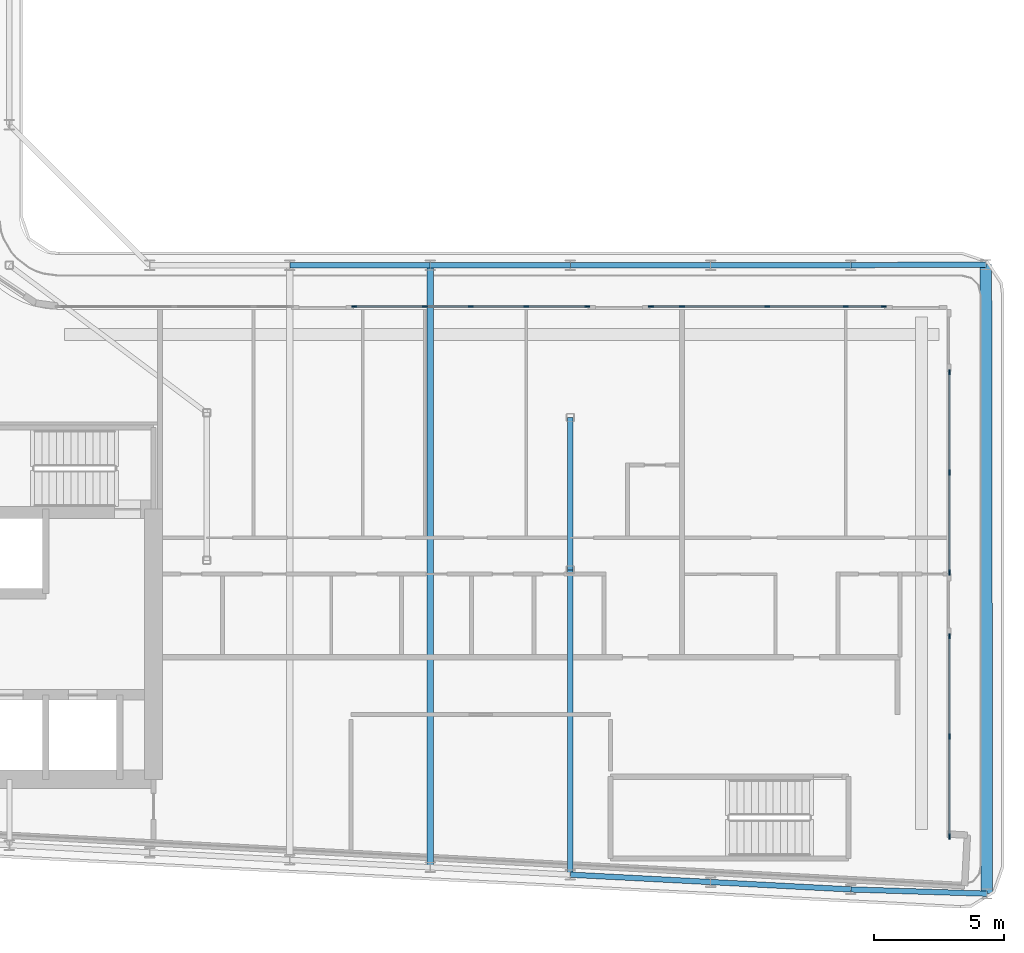
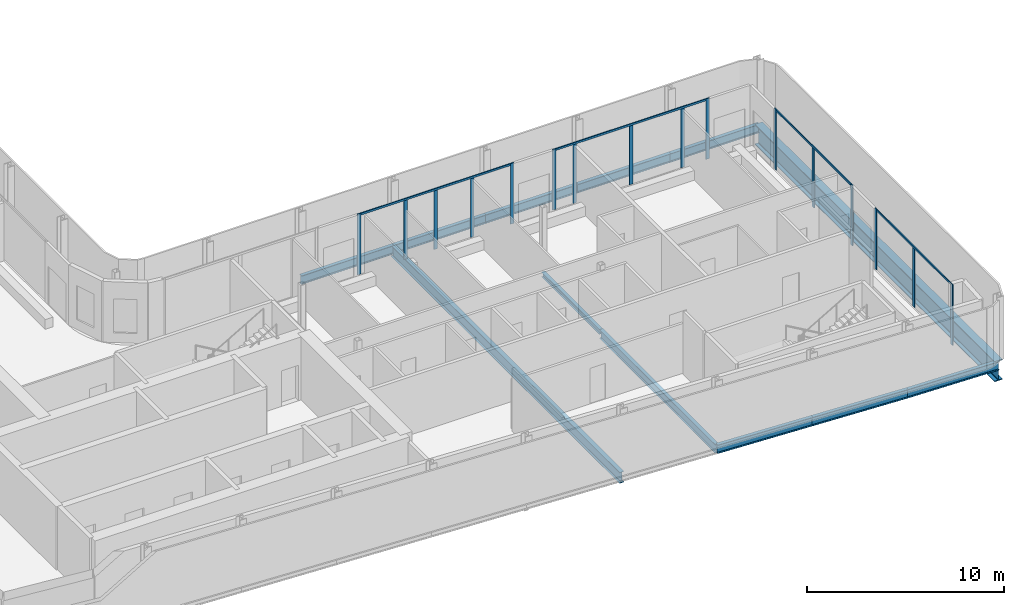
# One storey, part 5 of 21: 20 members, 12 beams, 4 elements without a shape of their own.
"""IFC4 building model written with IfcOpenShell, lengths in metres."""

from ifc_helpers import new_model, si_unit, direction, frame, origin, origin_2d, place, context, subcontext, project, spatial, rectangle, i_section, extrude, material, layer, layer_set, material_profile, profile_set, type_object, element, aggregate, save


model = new_model("IFC4")

# Units and contexts
model_context = context("Model", 3, precision=1e-05, world=origin(), true_north=direction((0.0, 1.0)))
body_context = subcontext(model_context, "Body", "Model", "MODEL_VIEW")
ifc_project = project(units=[si_unit("LENGTHUNIT", "METRE"), si_unit("AREAUNIT", "SQUARE_METRE"), si_unit("VOLUMEUNIT", "CUBIC_METRE"), si_unit("PLANEANGLEUNIT", "RADIAN"), si_unit("MASSUNIT", "GRAM", prefix="KILO")], contexts=[model_context])

# Site, building, storey
site_placement = place(None, origin())
site = spatial("IfcSite", under=ifc_project, at=site_placement, CompositionType="ELEMENT")
building_placement = place(site_placement, origin())
building = spatial("IfcBuilding", under=site, at=building_placement, Name="Kheshtan School and Residences Tower", CompositionType="ELEMENT")
storey_placement = place(building_placement, frame((0.0, 0.0, 227.89990234375)))
storey = spatial("IfcBuildingStorey", under=building, at=storey_placement, Name="L53", CompositionType="ELEMENT", Elevation=227.89990234375)

# Beams
ifc_material_1 = material(Name="Steel ASTM A992 Grade 50", Category="steel")
ifc_material_profile_1 = material_profile(ifc_material_1, i_section(OverallWidth=0.202880859375, OverallDepth=0.302978515625, WebThickness=0.007568359375, FlangeThickness=0.01318359375, FilletRadius=0.009033203125, at=origin_2d()), Name="W310x60")
ifc_profile_set_1 = profile_set([ifc_material_profile_1], Name="Steel ASTM A992 Grade 50")
beam_type_1 = type_object("IfcBeamType", Name="Beam FB1 W310x60 ASTM A992 Grade 50", PredefinedType="BEAM", material=ifc_profile_set_1)
beam_1_placement = place(storey_placement, frame((69.199951171875, 33.863037109375, -0.301513671875), z_axis=(0.0, 1.0, 0.0), x_axis=(-1.0, 0.0, 0.0)))
element("IfcBeam", 1, at=beam_1_placement, inside=storey, type_object=beam_type_1, Name="Floor beam IC", PredefinedType="BEAM", context=body_context, shape_type="SweptSolid", body=[
    extrude(i_section(OverallWidth=0.202880859375, OverallDepth=0.302978515625, WebThickness=0.007568359375, FlangeThickness=0.01318359375, FilletRadius=0.009033203125, at=origin_2d()), origin(), (0.0, 0.0, 1.0), 5.868896484375),
])
ifc_material_profile_2 = material_profile(ifc_material_1, i_section(OverallWidth=0.208984375, OverallDepth=0.532958984375, WebThickness=0.01025390625, FlangeThickness=0.015625, FilletRadius=0.013916015625, at=origin_2d()), Name="W530x92")
ifc_profile_set_2 = profile_set([ifc_material_profile_2], Name="Steel ASTM A992 Grade 50")
beam_type_2 = type_object("IfcBeamType", Name="Beam FB4 W530x92 ASTM A992 Grade 50", PredefinedType="BEAM", material=ifc_profile_set_2)
beam_2_placement = place(storey_placement, frame((69.199951171875, 22.126953125, -0.41650390625), z_axis=(0.0, 1.0, 0.0), x_axis=(-1.0, 0.0, 0.0)))
element("IfcBeam", 2, at=beam_2_placement, inside=storey, type_object=beam_type_2, Name="Floor beam C014", PredefinedType="BEAM", context=body_context, shape_type="SweptSolid", body=[
    extrude(i_section(OverallWidth=0.208984375, OverallDepth=0.532958984375, WebThickness=0.01025390625, FlangeThickness=0.015625, FilletRadius=0.013916015625, at=origin_2d()), origin(), (0.0, 0.0, 1.0), 11.736083984375),
])
ifc_material_profile_3 = material_profile(ifc_material_1, i_section(OverallWidth=0.2529296875, OverallDepth=0.677978515625, WebThickness=0.01171875, FlangeThickness=0.016357421875, FilletRadius=0.0146484375, at=origin_2d()), Name="W690x125")
ifc_profile_set_3 = profile_set([ifc_material_profile_3], Name="Steel ASTM A992 Grade 50")
beam_type_3 = type_object("IfcBeamType", Name="Beam FB6 W690x125 ASTM A992 Grade 50", PredefinedType="BEAM", material=ifc_profile_set_3)
beam_3_placement = place(storey_placement, frame((63.800048828125, 45.60009765625, -0.489013671875), z_axis=(0.0, -1.0, 0.0), x_axis=(1.0, 0.0, 0.0)))
element("IfcBeam", 3, at=beam_3_placement, inside=storey, type_object=beam_type_3, Name="Floor beam C063", PredefinedType="BEAM", context=body_context, shape_type="SweptSolid", body=[
    extrude(i_section(OverallWidth=0.2529296875, OverallDepth=0.677978515625, WebThickness=0.01171875, FlangeThickness=0.016357421875, FilletRadius=0.0146484375, at=origin_2d()), origin(), (0.0, 0.0, 1.0), 23.189208984375),
])
ifc_material_profile_4 = material_profile(ifc_material_1, i_section(OverallWidth=0.208984375, OverallDepth=0.532958984375, WebThickness=0.01025390625, FlangeThickness=0.015625, FilletRadius=0.013916015625, at=origin_2d()), Name="W530x92")
ifc_profile_set_4 = profile_set([ifc_material_profile_4], Name="Steel ASTM A992 Grade 50")
beam_type_4 = type_object("IfcBeamType", Name="Beam SP3 W530x92 ASTM A992 Grade 50", PredefinedType="BEAM", material=ifc_profile_set_4)
beam_4_placement = place(storey_placement, frame((58.39990234375, 45.60009765625, -0.41650390625), z_axis=(1.0, 0.0, 0.0), x_axis=(0.0, 1.0, 0.0)))
element("IfcBeam", 4, at=beam_4_placement, inside=storey, type_object=beam_type_4, Name="Spandrel beam C062-C063", PredefinedType="BEAM", context=body_context, shape_type="SweptSolid", body=[
    extrude(i_section(OverallWidth=0.208984375, OverallDepth=0.532958984375, WebThickness=0.01025390625, FlangeThickness=0.015625, FilletRadius=0.013916015625, at=origin_2d()), origin(), (0.0, 0.0, 1.0), 5.400146484375),
])
beam_5_placement = place(storey_placement, frame((63.800048828125, 45.60009765625, -0.41650390625), z_axis=(1.0, 0.0, 0.0), x_axis=(0.0, 1.0, 0.0)))
element("IfcBeam", 5, at=beam_5_placement, inside=storey, type_object=beam_type_4, Name="Spandrel beam C063-C064", PredefinedType="BEAM", context=body_context, shape_type="SweptSolid", body=[
    extrude(i_section(OverallWidth=0.208984375, OverallDepth=0.532958984375, WebThickness=0.01025390625, FlangeThickness=0.015625, FilletRadius=0.013916015625, at=origin_2d()), origin(), (0.0, 0.0, 1.0), 5.39990234375),
])
beam_6_placement = place(storey_placement, frame((69.199951171875, 45.60009765625, -0.41650390625), z_axis=(1.0, 0.0, 0.0), x_axis=(0.0, 1.0, 0.0)))
element("IfcBeam", 6, at=beam_6_placement, inside=storey, type_object=beam_type_4, Name="Spandrel beam C064-C065", PredefinedType="BEAM", context=body_context, shape_type="SweptSolid", body=[
    extrude(i_section(OverallWidth=0.208984375, OverallDepth=0.532958984375, WebThickness=0.01025390625, FlangeThickness=0.015625, FilletRadius=0.013916015625, at=origin_2d()), origin(), (0.0, 0.0, 1.0), 5.400146484375),
])
beam_7_placement = place(storey_placement, frame((74.60009765625, 45.60009765625, -0.41650390625), z_axis=(1.0, 0.0, 0.0), x_axis=(0.0, 1.0, 0.0)))
element("IfcBeam", 7, at=beam_7_placement, inside=storey, type_object=beam_type_4, Name="Spandrel beam C065-C066", PredefinedType="BEAM", context=body_context, shape_type="SweptSolid", body=[
    extrude(i_section(OverallWidth=0.208984375, OverallDepth=0.532958984375, WebThickness=0.01025390625, FlangeThickness=0.015625, FilletRadius=0.013916015625, at=origin_2d()), origin(), (0.0, 0.0, 1.0), 5.39990234375),
])
beam_8_placement = place(storey_placement, frame((80.0, 45.60009765625, -0.41650390625), z_axis=(0.999994754544, 0.003238963435, 0.0), x_axis=(-0.003238963435, 0.999994754544, 0.0)))
element("IfcBeam", 8, at=beam_8_placement, inside=storey, type_object=beam_type_4, Name="Spandrel beam C066-C074", PredefinedType="BEAM", context=body_context, shape_type="SweptSolid", body=[
    extrude(i_section(OverallWidth=0.208984375, OverallDepth=0.532958984375, WebThickness=0.01025390625, FlangeThickness=0.015625, FilletRadius=0.013916015625, at=origin_2d()), origin(), (0.0, 0.0, 1.0), 5.200927734375),
])
beam_9_placement = place(storey_placement, frame((85.240966796875, 21.39501953125, -0.41650390625), z_axis=(-0.999516201006, 0.031102474602, 0.0), x_axis=(-0.031102474602, -0.999516201006, 0.0)))
element("IfcBeam", 9, at=beam_9_placement, inside=storey, type_object=beam_type_4, Name="Spandrel beam C010-C012", PredefinedType="BEAM", context=body_context, shape_type="SweptSolid", body=[
    extrude(i_section(OverallWidth=0.208984375, OverallDepth=0.532958984375, WebThickness=0.01025390625, FlangeThickness=0.015625, FilletRadius=0.013916015625, at=origin_2d()), origin(), (0.0, 0.0, 1.0), 5.243408203125),
])
beam_10_placement = place(storey_placement, frame((80.0, 21.55810546875, -0.41650390625), z_axis=(-0.998610961136, 0.052689166816, 0.0), x_axis=(-0.052689166816, -0.998610961136, 0.0)))
element("IfcBeam", 10, at=beam_10_placement, inside=storey, type_object=beam_type_4, Name="Spandrel beam C012-C013", PredefinedType="BEAM", context=body_context, shape_type="SweptSolid", body=[
    extrude(i_section(OverallWidth=0.208984375, OverallDepth=0.532958984375, WebThickness=0.01025390625, FlangeThickness=0.015625, FilletRadius=0.013916015625, at=origin_2d()), origin(), (0.0, 0.0, 1.0), 5.407470703125),
])
beam_11_placement = place(storey_placement, frame((74.60009765625, 21.843017578125, -0.41650390625), z_axis=(-0.998620571751, 0.05250670125, 0.0), x_axis=(-0.05250670125, -0.998620571751, 0.0)))
element("IfcBeam", 11, at=beam_11_placement, inside=storey, type_object=beam_type_4, Name="Spandrel beam C013-C014", PredefinedType="BEAM", context=body_context, shape_type="SweptSolid", body=[
    extrude(i_section(OverallWidth=0.208984375, OverallDepth=0.532958984375, WebThickness=0.01025390625, FlangeThickness=0.015625, FilletRadius=0.013916015625, at=origin_2d()), origin(), (0.0, 0.0, 1.0), 5.40771484375),
])

# Curtain wall, members
ifc_material_2 = material(Name="Clear low-e glass in thermally broken aluminium frame", Category="aluminium")
ifc_layer = layer(ifc_material_2, 0.199951171875)
ifc_layer_set = layer_set([ifc_layer], Name="Curtain wall CW-L")
curtain_wall_type = type_object("IfcCurtainWallType", Name="Curtain wall CW-L", PredefinedType="NOTDEFINED", material=ifc_layer_set)
curtain_wall_1_placement = place(storey_placement, origin())
curtain_wall_1 = element("IfcCurtainWall", 12, at=curtain_wall_1_placement, inside=storey, type_object=curtain_wall_type, Name="Curtain wall CWL8p", PredefinedType="NOTDEFINED")
ifc_material_3 = material(Name="Thermally broken aluminium, dark bronze anodised", Category="aluminium")
ifc_material_profile_5 = material_profile(ifc_material_3, rectangle(XDim=0.06005859375, YDim=0.199951171875, at=origin_2d()), Name="CW-L mullion 60x200")
ifc_profile_set_5 = profile_set([ifc_material_profile_5], Name="Thermally broken aluminium, dark bronze anodised")
member_type_1 = type_object("IfcMemberType", Name="CW-L mullion 60x200", PredefinedType="MULLION", material=ifc_profile_set_5)
member_1_placement = place(storey_placement, frame((60.88330078125, 44.0, 0.0), z_axis=(0.0, 0.0, 1.0), x_axis=(0.0, 1.0, 0.0)))
member_1 = element("IfcMember", 13, at=member_1_placement, type_object=member_type_1, Name="CWL8p mullion 1", PredefinedType="MULLION", context=body_context, shape_type="SweptSolid", body=[
    extrude(rectangle(XDim=0.06005859375, YDim=0.199951171875, at=origin_2d()), origin(), (0.0, 0.0, 1.0), 3.75),
])
member_2_placement = place(storey_placement, frame((63.60009765625, 44.0, 0.0), z_axis=(0.0, 0.0, 1.0), x_axis=(0.0, 1.0, 0.0)))
member_2 = element("IfcMember", 14, at=member_2_placement, type_object=member_type_1, Name="CWL8p mullion 2", PredefinedType="MULLION", context=body_context, shape_type="SweptSolid", body=[
    extrude(rectangle(XDim=0.06005859375, YDim=0.199951171875, at=origin_2d()), origin(), (0.0, 0.0, 1.0), 3.630126953125),
])
member_3_placement = place(storey_placement, frame((65.364990234375, 44.0, 0.0), z_axis=(0.0, 0.0, 1.0), x_axis=(0.0, 1.0, 0.0)))
member_3 = element("IfcMember", 15, at=member_3_placement, type_object=member_type_1, Name="CWL8p mullion 3", PredefinedType="MULLION", context=body_context, shape_type="SweptSolid", body=[
    extrude(rectangle(XDim=0.06005859375, YDim=0.199951171875, at=origin_2d()), origin(), (0.0, 0.0, 1.0), 3.630126953125),
])
member_4_placement = place(storey_placement, frame((67.5, 44.0, 0.0), z_axis=(0.0, 0.0, 1.0), x_axis=(0.0, 1.0, 0.0)))
member_4 = element("IfcMember", 16, at=member_4_placement, type_object=member_type_1, Name="CWL8p mullion 4", PredefinedType="MULLION", context=body_context, shape_type="SweptSolid", body=[
    extrude(rectangle(XDim=0.06005859375, YDim=0.199951171875, at=origin_2d()), origin(), (0.0, 0.0, 1.0), 3.630126953125),
])
member_5_placement = place(storey_placement, frame((69.8466796875, 44.0, 0.0), z_axis=(0.0, 0.0, 1.0), x_axis=(0.0, 1.0, 0.0)))
member_5 = element("IfcMember", 17, at=member_5_placement, type_object=member_type_1, Name="CWL8p mullion 5", PredefinedType="MULLION", context=body_context, shape_type="SweptSolid", body=[
    extrude(rectangle(XDim=0.06005859375, YDim=0.199951171875, at=origin_2d()), origin(), (0.0, 0.0, 1.0), 3.75),
])

curtain_wall_2_placement = place(storey_placement, origin())
curtain_wall_2 = element("IfcCurtainWall", 18, at=curtain_wall_2_placement, inside=storey, type_object=curtain_wall_type, Name="Curtain wall CWL8p", PredefinedType="NOTDEFINED")
member_6_placement = place(storey_placement, frame((72.306640625, 44.0, 0.0), z_axis=(0.0, 0.0, 1.0), x_axis=(0.0, 1.0, 0.0)))
member_6 = element("IfcMember", 19, at=member_6_placement, type_object=member_type_1, Name="CWL8p mullion 1", PredefinedType="MULLION", context=body_context, shape_type="SweptSolid", body=[
    extrude(rectangle(XDim=0.06005859375, YDim=0.199951171875, at=origin_2d()), origin(), (0.0, 0.0, 1.0), 3.75),
])
member_7_placement = place(storey_placement, frame((73.5, 44.0, 0.0), z_axis=(0.0, 0.0, 1.0), x_axis=(0.0, 1.0, 0.0)))
member_7 = element("IfcMember", 20, at=member_7_placement, type_object=member_type_1, Name="CWL8p mullion 2", PredefinedType="MULLION", context=body_context, shape_type="SweptSolid", body=[
    extrude(rectangle(XDim=0.06005859375, YDim=0.199951171875, at=origin_2d()), origin(), (0.0, 0.0, 1.0), 3.630126953125),
])
member_8_placement = place(storey_placement, frame((76.788330078125, 44.0, 0.0), z_axis=(0.0, 0.0, 1.0), x_axis=(0.0, 1.0, 0.0)))
member_8 = element("IfcMember", 21, at=member_8_placement, type_object=member_type_1, Name="CWL8p mullion 3", PredefinedType="MULLION", context=body_context, shape_type="SweptSolid", body=[
    extrude(rectangle(XDim=0.06005859375, YDim=0.199951171875, at=origin_2d()), origin(), (0.0, 0.0, 1.0), 3.630126953125),
])
member_9_placement = place(storey_placement, frame((79.800048828125, 44.0, 0.0), z_axis=(0.0, 0.0, 1.0), x_axis=(0.0, 1.0, 0.0)))
member_9 = element("IfcMember", 22, at=member_9_placement, type_object=member_type_1, Name="CWL8p mullion 4", PredefinedType="MULLION", context=body_context, shape_type="SweptSolid", body=[
    extrude(rectangle(XDim=0.06005859375, YDim=0.199951171875, at=origin_2d()), origin(), (0.0, 0.0, 1.0), 3.630126953125),
])
member_10_placement = place(storey_placement, frame((81.27001953125, 44.0, 0.0), z_axis=(0.0, 0.0, 1.0), x_axis=(0.0, 1.0, 0.0)))
member_10 = element("IfcMember", 23, at=member_10_placement, type_object=member_type_1, Name="CWL8p mullion 5", PredefinedType="MULLION", context=body_context, shape_type="SweptSolid", body=[
    extrude(rectangle(XDim=0.06005859375, YDim=0.199951171875, at=origin_2d()), origin(), (0.0, 0.0, 1.0), 3.75),
])

curtain_wall_3_placement = place(storey_placement, origin())
curtain_wall_3 = element("IfcCurtainWall", 24, at=curtain_wall_3_placement, inside=storey, type_object=curtain_wall_type, Name="Curtain wall CWL9a", PredefinedType="NOTDEFINED")
member_11_placement = place(storey_placement, frame((83.800048828125, 41.469970703125, 0.0), z_axis=(0.0, 0.0, 1.0), x_axis=(1.0, 0.0, 0.0)))
member_11 = element("IfcMember", 25, at=member_11_placement, type_object=member_type_1, Name="CWL9a mullion 1", PredefinedType="MULLION", context=body_context, shape_type="SweptSolid", body=[
    extrude(rectangle(XDim=0.06005859375, YDim=0.199951171875, at=origin_2d()), origin(), (0.0, 0.0, 1.0), 3.75),
])
member_12_placement = place(storey_placement, frame((83.800048828125, 37.61669921875, 0.0), z_axis=(0.0, 0.0, 1.0), x_axis=(1.0, 0.0, 0.0)))
member_12 = element("IfcMember", 26, at=member_12_placement, type_object=member_type_1, Name="CWL9a mullion 2", PredefinedType="MULLION", context=body_context, shape_type="SweptSolid", body=[
    extrude(rectangle(XDim=0.06005859375, YDim=0.199951171875, at=origin_2d()), origin(), (0.0, 0.0, 1.0), 3.630126953125),
])
member_13_placement = place(storey_placement, frame((83.800048828125, 33.763427734375, 0.0), z_axis=(0.0, 0.0, 1.0), x_axis=(1.0, 0.0, 0.0)))
member_13 = element("IfcMember", 27, at=member_13_placement, type_object=member_type_1, Name="CWL9a mullion 3", PredefinedType="MULLION", context=body_context, shape_type="SweptSolid", body=[
    extrude(rectangle(XDim=0.06005859375, YDim=0.199951171875, at=origin_2d()), origin(), (0.0, 0.0, 1.0), 3.75),
])

curtain_wall_4_placement = place(storey_placement, origin())
curtain_wall_4 = element("IfcCurtainWall", 28, at=curtain_wall_4_placement, inside=storey, type_object=curtain_wall_type, Name="Curtain wall CWL9a", PredefinedType="NOTDEFINED")
member_14_placement = place(storey_placement, frame((83.800048828125, 31.303466796875, 0.0), z_axis=(0.0, 0.0, 1.0), x_axis=(1.0, 0.0, 0.0)))
member_14 = element("IfcMember", 29, at=member_14_placement, type_object=member_type_1, Name="CWL9a mullion 1", PredefinedType="MULLION", context=body_context, shape_type="SweptSolid", body=[
    extrude(rectangle(XDim=0.06005859375, YDim=0.199951171875, at=origin_2d()), origin(), (0.0, 0.0, 1.0), 3.75),
])
member_15_placement = place(storey_placement, frame((83.800048828125, 27.4501953125, 0.0), z_axis=(0.0, 0.0, 1.0), x_axis=(1.0, 0.0, 0.0)))
member_15 = element("IfcMember", 30, at=member_15_placement, type_object=member_type_1, Name="CWL9a mullion 2", PredefinedType="MULLION", context=body_context, shape_type="SweptSolid", body=[
    extrude(rectangle(XDim=0.06005859375, YDim=0.199951171875, at=origin_2d()), origin(), (0.0, 0.0, 1.0), 3.630126953125),
])
member_16_placement = place(storey_placement, frame((83.800048828125, 23.596923828125, 0.0), z_axis=(0.0, 0.0, 1.0), x_axis=(1.0, 0.0, 0.0)))
member_16 = element("IfcMember", 31, at=member_16_placement, type_object=member_type_1, Name="CWL9a mullion 3", PredefinedType="MULLION", context=body_context, shape_type="SweptSolid", body=[
    extrude(rectangle(XDim=0.06005859375, YDim=0.199951171875, at=origin_2d()), origin(), (0.0, 0.0, 1.0), 3.75),
])

# Member
ifc_material_profile_6 = material_profile(ifc_material_3, rectangle(XDim=0.06005859375, YDim=0.1201171875, at=origin_2d()), Name="CW-L transom 60x120")
ifc_profile_set_6 = profile_set([ifc_material_profile_6], Name="Thermally broken aluminium, dark bronze anodised")
member_type_2 = type_object("IfcMemberType", Name="CW-L transom 60x120", PredefinedType="USERDEFINED", material=ifc_profile_set_6)
member_17_placement = place(storey_placement, frame((60.913330078125, 44.0, 3.690185546875), z_axis=(1.0, 0.0, 0.0), x_axis=(0.0, 1.0, 0.0)))
member_17 = element("IfcMember", 32, at=member_17_placement, type_object=member_type_2, Name="CWL8p transom 1", ObjectType="TRANSOM", PredefinedType="USERDEFINED", context=body_context, shape_type="SweptSolid", body=[
    extrude(rectangle(XDim=0.06005859375, YDim=0.1201171875, at=origin_2d()), origin(), (0.0, 0.0, 1.0), 8.9033203125),
])

aggregate(curtain_wall_1, [member_1, member_2, member_3, member_4, member_5, member_17])

member_18_placement = place(storey_placement, frame((72.336669921875, 44.0, 3.690185546875), z_axis=(1.0, 0.0, 0.0), x_axis=(0.0, 1.0, 0.0)))
member_18 = element("IfcMember", 33, at=member_18_placement, type_object=member_type_2, Name="CWL8p transom 1", ObjectType="TRANSOM", PredefinedType="USERDEFINED", context=body_context, shape_type="SweptSolid", body=[
    extrude(rectangle(XDim=0.06005859375, YDim=0.1201171875, at=origin_2d()), origin(), (0.0, 0.0, 1.0), 8.9033203125),
])

aggregate(curtain_wall_2, [member_6, member_7, member_8, member_9, member_10, member_18])

member_19_placement = place(storey_placement, frame((83.800048828125, 41.43994140625, 3.690185546875), z_axis=(0.0, -1.0, 0.0), x_axis=(1.0, 0.0, 0.0)))
member_19 = element("IfcMember", 34, at=member_19_placement, type_object=member_type_2, Name="CWL9a transom 1", ObjectType="TRANSOM", PredefinedType="USERDEFINED", context=body_context, shape_type="SweptSolid", body=[
    extrude(rectangle(XDim=0.06005859375, YDim=0.1201171875, at=origin_2d()), origin(), (0.0, 0.0, 1.0), 7.646484375),
])

aggregate(curtain_wall_3, [member_11, member_12, member_13, member_19])

member_20_placement = place(storey_placement, frame((83.800048828125, 31.2734375, 3.690185546875), z_axis=(0.0, -1.0, 0.0), x_axis=(1.0, 0.0, 0.0)))
member_20 = element("IfcMember", 35, at=member_20_placement, type_object=member_type_2, Name="CWL9a transom 1", ObjectType="TRANSOM", PredefinedType="USERDEFINED", context=body_context, shape_type="SweptSolid", body=[
    extrude(rectangle(XDim=0.06005859375, YDim=0.1201171875, at=origin_2d()), origin(), (0.0, 0.0, 1.0), 7.646484375),
])

aggregate(curtain_wall_4, [member_14, member_15, member_16, member_20])

# Beam
ifc_material_profile_7 = material_profile(ifc_material_1, i_section(OverallWidth=0.449951171875, OverallDepth=1.25, WebThickness=0.02490234375, FlangeThickness=0.044921875, FilletRadius=0.03759765625, at=origin_2d()), Name="WWF1250x546")
ifc_profile_set_7 = profile_set([ifc_material_profile_7], Name="Steel ASTM A992 Grade 50")
beam_type_5 = type_object("IfcBeamType", Name="Transfer girder TG4 WWF1250x546 ASTM A992 Grade 50", PredefinedType="BEAM", material=ifc_profile_set_7)
beam_12_placement = place(storey_placement, frame((85.200927734375, 45.616943359375, -0.77490234375), z_axis=(0.001653006924, -0.999998633783, 0.0), x_axis=(0.999998633783, 0.001653006924, 0.0)))
element("IfcBeam", 36, at=beam_12_placement, inside=storey, type_object=beam_type_5, Name="Transfer girder C074-C010", PredefinedType="BEAM", context=body_context, shape_type="SweptSolid", body=[
    extrude(i_section(OverallWidth=0.449951171875, OverallDepth=1.25, WebThickness=0.02490234375, FlangeThickness=0.044921875, FilletRadius=0.03759765625, at=origin_2d()), origin(), (0.0, 0.0, 1.0), 24.221923828125),
])

save(model, "model.ifc")
